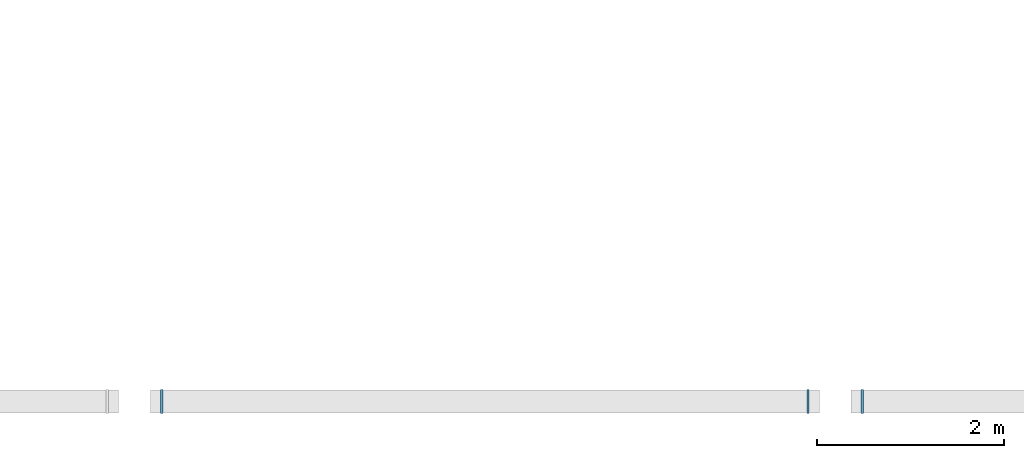
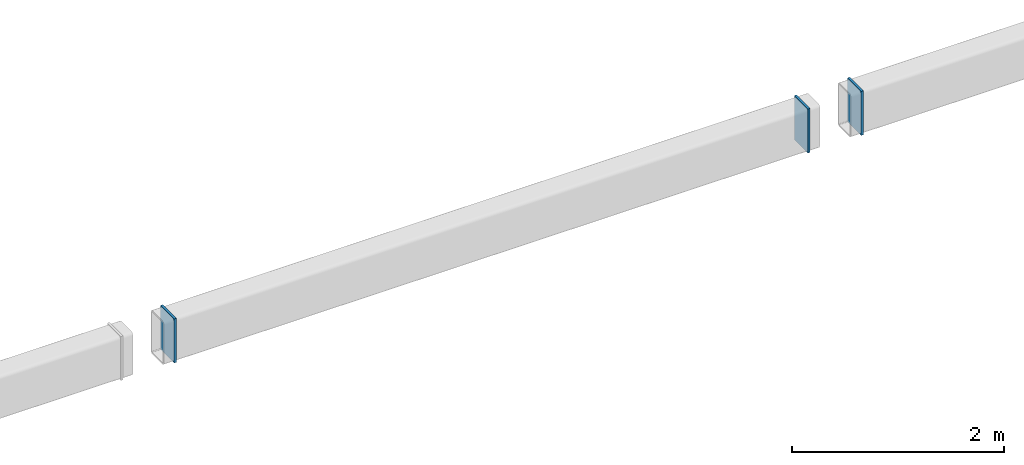
# One storey, part 27 of 45: 3 plates.
"""IFC4 building model written with IfcOpenShell, lengths in metres."""

from ifc_helpers import new_model, si_unit, direction, frame, origin, origin_2d, place, context, subcontext, project, spatial, rectangle, extrude, material, layer, layer_set, type_object, element, save


model = new_model("IFC4")

# Units and contexts
model_context = context("Model", 3, precision=1e-05, world=origin(), true_north=direction((0.0, 1.0)))
body_context = subcontext(model_context, "Body", "Model", "MODEL_VIEW")
ifc_project = project(units=[si_unit("LENGTHUNIT", "METRE"), si_unit("AREAUNIT", "SQUARE_METRE"), si_unit("VOLUMEUNIT", "CUBIC_METRE"), si_unit("PLANEANGLEUNIT", "RADIAN"), si_unit("MASSUNIT", "GRAM", prefix="KILO")], contexts=[model_context])

# Site, building, storey
site_placement = place(None, origin())
site = spatial("IfcSite", under=ifc_project, at=site_placement, CompositionType="ELEMENT")
building_placement = place(site_placement, origin())
building = spatial("IfcBuilding", under=site, at=building_placement, Name="Yukiwa Park Conservatory and Herbarium", CompositionType="ELEMENT")
storey_placement = place(building_placement, frame((0.0, 0.0, 9.0)))
storey = spatial("IfcBuildingStorey", under=building, at=storey_placement, Name="L02", CompositionType="ELEMENT", Elevation=9.0)

# Plates
ifc_material = material(Name="Steel Q355D", Category="steel")
ifc_layer = layer(ifc_material, 0.02392578125)
ifc_layer_set = layer_set([ifc_layer], Name="Steel Q355D")
plate_type = type_object("IfcPlateType", Name="PL-CAP-24", PredefinedType="USERDEFINED", material=ifc_layer_set)
for number, where, z_axis, x_axis, name in (
    (1, (22.802978515625, 0.0, -0.25), (-1.0, 0.0, 0.0), (0.0, -1.0, 0.0), "Hollow section end cap plate CAP-VRNG-S-4A"),
    (2, (29.697021484375, 0.0, -0.25), (1.0, 0.0, 0.0), (0.0, 1.0, 0.0), "Hollow section end cap plate CAP-VRNG-S-4B"),
    (3, (30.302978515625, 0.0, -0.25), (-1.0, 0.0, 0.0), (0.0, -1.0, 0.0), "Hollow section end cap plate CAP-VRNG-S-5A"),
):
    element("IfcPlate", number, at=place(storey_placement, frame(where, z_axis=z_axis, x_axis=x_axis)), inside=storey, type_object=plate_type, Name=name, ObjectType="END CAP PLATE", PredefinedType="USERDEFINED", context=body_context, shape_type="SweptSolid", body=[
        extrude(rectangle(XDim=0.258056640625, YDim=0.508056640625, at=origin_2d()), origin(), (0.0, 0.0, 1.0), 0.02392578125),
    ])

save(model, "model.ifc")
